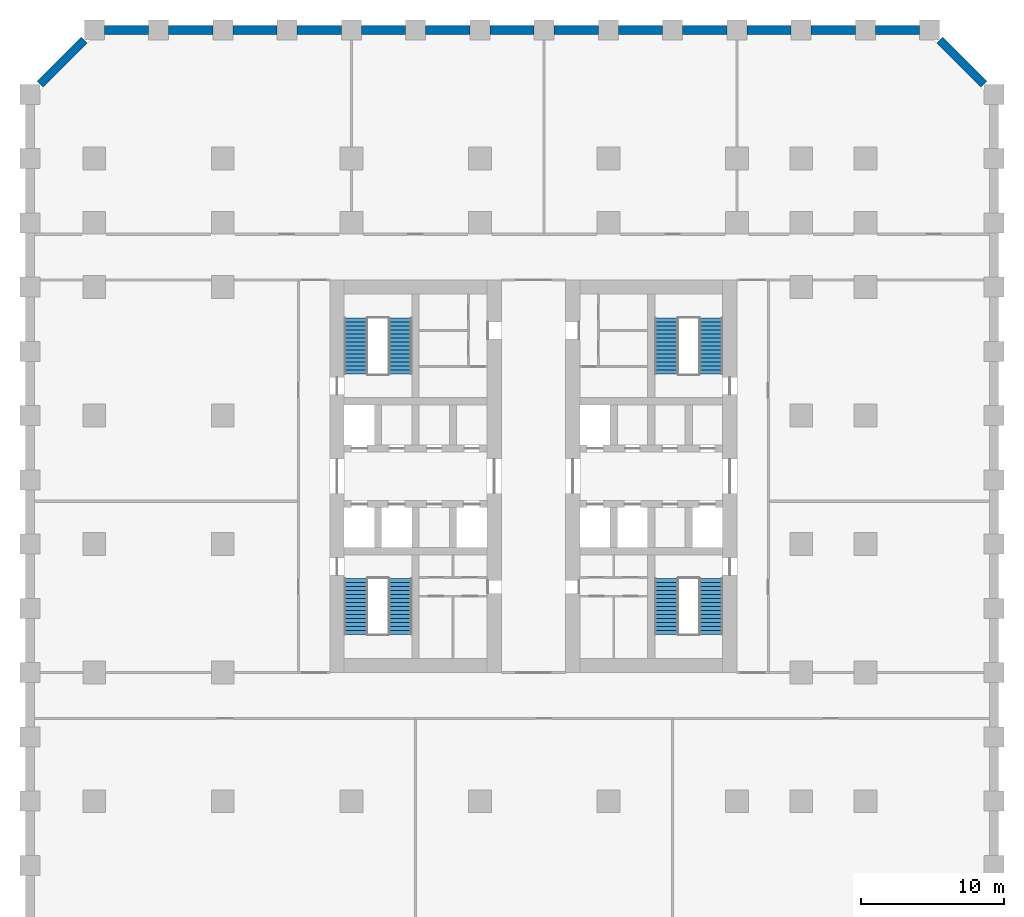
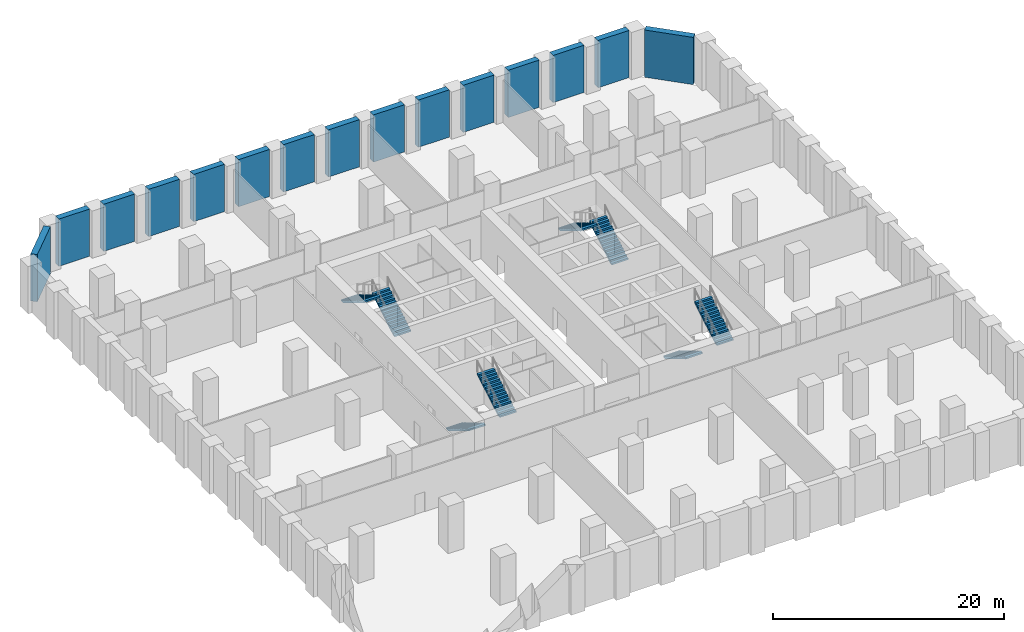
# One storey, part 6 of 7: 15 walls, 8 stair flights, 4 elements without a shape of their own.
"""IFC4 building model written with IfcOpenShell, lengths in metres."""

from ifc_helpers import new_model, si_unit, direction, frame, frame_2d, origin, place, context, subcontext, project, spatial, polyline, rectangle, outline, extrude, material, layer, layer_set, type_object, element, aggregate, save


model = new_model("IFC4")

# Units and contexts
model_context = context("Model", 3, precision=1e-05, world=origin(), true_north=direction((0.0, 1.0)))
body_context = subcontext(model_context, "Body", "Model", "MODEL_VIEW")
ifc_project = project(units=[si_unit("LENGTHUNIT", "METRE"), si_unit("AREAUNIT", "SQUARE_METRE"), si_unit("VOLUMEUNIT", "CUBIC_METRE"), si_unit("PLANEANGLEUNIT", "RADIAN"), si_unit("MASSUNIT", "GRAM", prefix="KILO")], contexts=[model_context])

# Site, building, storey
site_placement = place(None, origin())
site = spatial("IfcSite", under=ifc_project, at=site_placement, CompositionType="ELEMENT")
building_placement = place(site_placement, origin())
building = spatial("IfcBuilding", under=site, at=building_placement, Name="Corbel Stack Research Tower", CompositionType="ELEMENT")
storey_placement = place(building_placement, frame((0.0, 0.0, -5.0)))
storey = spatial("IfcBuildingStorey", under=building, at=storey_placement, Name="B1", CompositionType="ELEMENT", Elevation=-5.0)

# Walls
ifc_material_1 = material(Name="Concrete C45/55", Category="concrete")
ifc_layer = layer(ifc_material_1, 0.60009765625)
ifc_layer_set = layer_set([ifc_layer], Name="Concrete C45/55")
wall_type = type_object("IfcWallType", Name="BW-600", PredefinedType="SOLIDWALL", material=ifc_layer_set)
wall_1_placement = place(storey_placement, frame((35.300048828125, 32.199951171875, 0.0), z_axis=(0.0, 0.0, 1.0), x_axis=(-0.707106781187, 0.707106781187, 0.0)))
element("IfcWall", 1, at=wall_1_placement, inside=storey, type_object=wall_type, Name="Basement wall B1", PredefinedType="SOLIDWALL", context=body_context, shape_type="SweptSolid", body=[
    extrude(rectangle(XDim=4.38427734375, YDim=0.60009765625, at=frame_2d((2.192138671875, 0.0))), origin(), (0.0, 0.0, 1.0), 5.0),
])
for number, where, z_axis, x_axis, name in (
    (2, (30.800048828125, 36.0, 0.0), (0.0, 0.0, 1.0), (-1.0, 0.0, 0.0), "Basement wall B1"),
    (3, (26.300048828125, 36.0, 0.0), (0.0, 0.0, 1.0), (-1.0, 0.0, 0.0), "Basement wall B1"),
    (4, (21.800048828125, 36.0, 0.0), (0.0, 0.0, 1.0), (-1.0, 0.0, 0.0), "Basement wall B1"),
    (5, (17.300048828125, 36.0, 0.0), (0.0, 0.0, 1.0), (-1.0, 0.0, 0.0), "Basement wall B1"),
    (6, (12.800048828125, 36.0, 0.0), (0.0, 0.0, 1.0), (-1.0, 0.0, 0.0), "Basement wall B1"),
    (7, (8.300048828125, 36.0, 0.0), (0.0, 0.0, 1.0), (-1.0, 0.0, 0.0), "Basement wall B1"),
    (8, (3.800048828125, 36.0, 0.0), (0.0, 0.0, 1.0), (-1.0, 0.0, 0.0), "Basement wall B1"),
    (9, (-0.699951171875, 36.0, 0.0), (0.0, 0.0, 1.0), (-1.0, 0.0, 0.0), "Basement wall B1"),
    (10, (-5.199951171875, 36.0, 0.0), (0.0, 0.0, 1.0), (-1.0, 0.0, 0.0), "Basement wall B1"),
    (11, (-9.699951171875, 36.0, 0.0), (0.0, 0.0, 1.0), (-1.0, 0.0, 0.0), "Basement wall B1"),
    (12, (-14.199951171875, 36.0, 0.0), (0.0, 0.0, 1.0), (-1.0, 0.0, 0.0), "Basement wall B1"),
    (13, (-18.699951171875, 36.0, 0.0), (0.0, 0.0, 1.0), (-1.0, 0.0, 0.0), "Basement wall B1"),
    (14, (-23.199951171875, 36.0, 0.0), (0.0, 0.0, 1.0), (-1.0, 0.0, 0.0), "Basement wall B1"),
):
    element("IfcWall", number, at=place(storey_placement, frame(where, z_axis=z_axis, x_axis=x_axis)), inside=storey, type_object=wall_type, Name=name, PredefinedType="SOLIDWALL", context=body_context, shape_type="SweptSolid", body=[
        extrude(rectangle(XDim=3.10009765625, YDim=0.60009765625, at=frame_2d((1.550048828125, 0.0))), origin(), (0.0, 0.0, 1.0), 5.0),
    ])
wall_2_placement = place(storey_placement, frame((-27.699951171875, 35.300048828125, 0.0), z_axis=(0.0, 0.0, 1.0), x_axis=(-0.707106781187, -0.707106781187, 0.0)))
element("IfcWall", 15, at=wall_2_placement, inside=storey, type_object=wall_type, Name="Basement wall B1", PredefinedType="SOLIDWALL", context=body_context, shape_type="SweptSolid", body=[
    extrude(rectangle(XDim=4.38427734375, YDim=0.60009765625, at=frame_2d((2.192138671875, 0.0))), origin(), (0.0, 0.0, 1.0), 5.0),
])

# Stair, stair flights
ifc_material_2 = material(Name="Concrete C40/50", Category="concrete")
stair_type = type_object("IfcStairType", Name="Exit stair 30 risers", PredefinedType="HALF_TURN_STAIR", material=ifc_material_2)
stair_1_placement = place(storey_placement, origin())
stair_1 = element("IfcStair", 16, at=stair_1_placement, inside=storey, type_object=stair_type, Name="B1 Exit stair ST-W1", PredefinedType="HALF_TURN_STAIR")
ifc_material_3 = material(Name="Concrete C40/50", Category="concrete")
stair_flight_type = type_object("IfcStairFlightType", Name="Stair flight 15 risers", PredefinedType="STRAIGHT", material=ifc_material_3)
stair_flight_1_placement = place(storey_placement, frame((-8.675048828125, -2.39990234375, 0.0), z_axis=(0.0, 0.0, 1.0), x_axis=(0.0, -1.0, 0.0)))
stair_flight_1 = element("IfcStairFlight", 17, at=stair_flight_1_placement, type_object=stair_flight_type, Name="ST-W1 flight 1", NumberOfRisers=15, NumberOfTreads=14, PredefinedType="STRAIGHT", RiserHeight=0.166666667, TreadLength=0.28, context=body_context, shape_type="SweptSolid", body=[
    extrude(outline(polyline([(0.0, 0.0), (0.0, 0.166748046875), (0.280029296875, 0.166748046875), (0.280029296875, 0.333251953125), (0.56005859375, 0.333251953125), (0.56005859375, 0.5), (0.840087890625, 0.5), (0.840087890625, 0.666748046875), (1.1201171875, 0.666748046875), (1.1201171875, 0.833251953125), (1.39990234375, 0.833251953125), (1.39990234375, 1.0), (1.679931640625, 1.0), (1.679931640625, 1.166748046875), (1.9599609375, 1.166748046875), (1.9599609375, 1.333251953125), (2.239990234375, 1.333251953125), (2.239990234375, 1.5), (2.52001953125, 1.5), (2.52001953125, 1.666748046875), (2.800048828125, 1.666748046875), (2.800048828125, 1.833251953125), (3.080078125, 1.833251953125), (3.080078125, 2.0), (3.360107421875, 2.0), (3.360107421875, 2.166748046875), (3.639892578125, 2.166748046875), (3.639892578125, 2.333251953125), (3.919921875, 2.333251953125), (3.919921875, 2.5), (3.919921875, 2.158935546875), (0.29296875, 0.0), (0.0, 0.0)])), frame((0.0, 0.824951171875, 0.0), z_axis=(0.0, -1.0, 0.0), x_axis=(1.0, 0.0, 0.0)), (0.0, 0.0, 1.0), 1.64990234375),
])
stair_flight_2_placement = place(storey_placement, frame((-5.574951171875, -6.320068359375, 2.5), z_axis=(0.0, 0.0, 1.0), x_axis=(0.0, 1.0, 0.0)))
stair_flight_2 = element("IfcStairFlight", 18, at=stair_flight_2_placement, type_object=stair_flight_type, Name="ST-W1 flight 2", NumberOfRisers=15, NumberOfTreads=14, PredefinedType="STRAIGHT", RiserHeight=0.166666667, TreadLength=0.28, context=body_context, shape_type="SweptSolid", body=[
    extrude(outline(polyline([(0.0, 0.0), (0.0, 0.166748046875), (0.280029296875, 0.166748046875), (0.280029296875, 0.333251953125), (0.56005859375, 0.333251953125), (0.56005859375, 0.5), (0.840087890625, 0.5), (0.840087890625, 0.666748046875), (1.1201171875, 0.666748046875), (1.1201171875, 0.833251953125), (1.39990234375, 0.833251953125), (1.39990234375, 1.0), (1.679931640625, 1.0), (1.679931640625, 1.166748046875), (1.9599609375, 1.166748046875), (1.9599609375, 1.333251953125), (2.239990234375, 1.333251953125), (2.239990234375, 1.5), (2.52001953125, 1.5), (2.52001953125, 1.666748046875), (2.800048828125, 1.666748046875), (2.800048828125, 1.833251953125), (3.080078125, 1.833251953125), (3.080078125, 2.0), (3.360107421875, 2.0), (3.360107421875, 2.166748046875), (3.639892578125, 2.166748046875), (3.639892578125, 2.333251953125), (3.919921875, 2.333251953125), (3.919921875, 2.5), (3.919921875, 2.158935546875), (0.29296875, 0.0), (0.0, 0.0)])), frame((0.0, 0.824951171875, 0.0), z_axis=(0.0, -1.0, 0.0), x_axis=(1.0, 0.0, 0.0)), (0.0, 0.0, 1.0), 1.64990234375),
])
aggregate(stair_1, [stair_flight_1, stair_flight_2])

stair_2_placement = place(storey_placement, origin())
stair_2 = element("IfcStair", 19, at=stair_2_placement, inside=storey, type_object=stair_type, Name="B1 Exit stair ST-W2", PredefinedType="HALF_TURN_STAIR")
stair_flight_3_placement = place(storey_placement, frame((-5.574951171875, 11.89990234375, 0.0), z_axis=(0.0, 0.0, 1.0), x_axis=(0.0, 1.0, 0.0)))
stair_flight_3 = element("IfcStairFlight", 20, at=stair_flight_3_placement, type_object=stair_flight_type, Name="ST-W2 flight 1", NumberOfRisers=15, NumberOfTreads=14, PredefinedType="STRAIGHT", RiserHeight=0.166666667, TreadLength=0.28, context=body_context, shape_type="SweptSolid", body=[
    extrude(outline(polyline([(0.0, 0.0), (0.0, 0.166748046875), (0.280029296875, 0.166748046875), (0.280029296875, 0.333251953125), (0.56005859375, 0.333251953125), (0.56005859375, 0.5), (0.840087890625, 0.5), (0.840087890625, 0.666748046875), (1.1201171875, 0.666748046875), (1.1201171875, 0.833251953125), (1.39990234375, 0.833251953125), (1.39990234375, 1.0), (1.679931640625, 1.0), (1.679931640625, 1.166748046875), (1.9599609375, 1.166748046875), (1.9599609375, 1.333251953125), (2.239990234375, 1.333251953125), (2.239990234375, 1.5), (2.52001953125, 1.5), (2.52001953125, 1.666748046875), (2.800048828125, 1.666748046875), (2.800048828125, 1.833251953125), (3.080078125, 1.833251953125), (3.080078125, 2.0), (3.360107421875, 2.0), (3.360107421875, 2.166748046875), (3.639892578125, 2.166748046875), (3.639892578125, 2.333251953125), (3.919921875, 2.333251953125), (3.919921875, 2.5), (3.919921875, 2.158935546875), (0.29296875, 0.0), (0.0, 0.0)])), frame((0.0, 0.824951171875, 0.0), z_axis=(0.0, -1.0, 0.0), x_axis=(1.0, 0.0, 0.0)), (0.0, 0.0, 1.0), 1.64990234375),
])
stair_flight_4_placement = place(storey_placement, frame((-8.675048828125, 15.820068359375, 2.5), z_axis=(0.0, 0.0, 1.0), x_axis=(0.0, -1.0, 0.0)))
stair_flight_4 = element("IfcStairFlight", 21, at=stair_flight_4_placement, type_object=stair_flight_type, Name="ST-W2 flight 2", NumberOfRisers=15, NumberOfTreads=14, PredefinedType="STRAIGHT", RiserHeight=0.166666667, TreadLength=0.28, context=body_context, shape_type="SweptSolid", body=[
    extrude(outline(polyline([(0.0, 0.0), (0.0, 0.166748046875), (0.280029296875, 0.166748046875), (0.280029296875, 0.333251953125), (0.56005859375, 0.333251953125), (0.56005859375, 0.5), (0.840087890625, 0.5), (0.840087890625, 0.666748046875), (1.1201171875, 0.666748046875), (1.1201171875, 0.833251953125), (1.39990234375, 0.833251953125), (1.39990234375, 1.0), (1.679931640625, 1.0), (1.679931640625, 1.166748046875), (1.9599609375, 1.166748046875), (1.9599609375, 1.333251953125), (2.239990234375, 1.333251953125), (2.239990234375, 1.5), (2.52001953125, 1.5), (2.52001953125, 1.666748046875), (2.800048828125, 1.666748046875), (2.800048828125, 1.833251953125), (3.080078125, 1.833251953125), (3.080078125, 2.0), (3.360107421875, 2.0), (3.360107421875, 2.166748046875), (3.639892578125, 2.166748046875), (3.639892578125, 2.333251953125), (3.919921875, 2.333251953125), (3.919921875, 2.5), (3.919921875, 2.158935546875), (0.29296875, 0.0), (0.0, 0.0)])), frame((0.0, 0.824951171875, 0.0), z_axis=(0.0, -1.0, 0.0), x_axis=(1.0, 0.0, 0.0)), (0.0, 0.0, 1.0), 1.64990234375),
])
aggregate(stair_2, [stair_flight_3, stair_flight_4])

stair_3_placement = place(storey_placement, origin())
stair_3 = element("IfcStair", 22, at=stair_3_placement, inside=storey, type_object=stair_type, Name="B1 Exit stair ST-E1", PredefinedType="HALF_TURN_STAIR")
stair_flight_5_placement = place(storey_placement, frame((13.074951171875, -2.39990234375, 0.0), z_axis=(0.0, 0.0, 1.0), x_axis=(0.0, -1.0, 0.0)))
stair_flight_5 = element("IfcStairFlight", 23, at=stair_flight_5_placement, type_object=stair_flight_type, Name="ST-E1 flight 1", NumberOfRisers=15, NumberOfTreads=14, PredefinedType="STRAIGHT", RiserHeight=0.166666667, TreadLength=0.28, context=body_context, shape_type="SweptSolid", body=[
    extrude(outline(polyline([(0.0, 0.0), (0.0, 0.166748046875), (0.280029296875, 0.166748046875), (0.280029296875, 0.333251953125), (0.56005859375, 0.333251953125), (0.56005859375, 0.5), (0.840087890625, 0.5), (0.840087890625, 0.666748046875), (1.1201171875, 0.666748046875), (1.1201171875, 0.833251953125), (1.39990234375, 0.833251953125), (1.39990234375, 1.0), (1.679931640625, 1.0), (1.679931640625, 1.166748046875), (1.9599609375, 1.166748046875), (1.9599609375, 1.333251953125), (2.239990234375, 1.333251953125), (2.239990234375, 1.5), (2.52001953125, 1.5), (2.52001953125, 1.666748046875), (2.800048828125, 1.666748046875), (2.800048828125, 1.833251953125), (3.080078125, 1.833251953125), (3.080078125, 2.0), (3.360107421875, 2.0), (3.360107421875, 2.166748046875), (3.639892578125, 2.166748046875), (3.639892578125, 2.333251953125), (3.919921875, 2.333251953125), (3.919921875, 2.5), (3.919921875, 2.158935546875), (0.29296875, 0.0), (0.0, 0.0)])), frame((0.0, 0.824951171875, 0.0), z_axis=(0.0, -1.0, 0.0), x_axis=(1.0, 0.0, 0.0)), (0.0, 0.0, 1.0), 1.64990234375),
])
stair_flight_6_placement = place(storey_placement, frame((16.175048828125, -6.320068359375, 2.5), z_axis=(0.0, 0.0, 1.0), x_axis=(0.0, 1.0, 0.0)))
stair_flight_6 = element("IfcStairFlight", 24, at=stair_flight_6_placement, type_object=stair_flight_type, Name="ST-E1 flight 2", NumberOfRisers=15, NumberOfTreads=14, PredefinedType="STRAIGHT", RiserHeight=0.166666667, TreadLength=0.28, context=body_context, shape_type="SweptSolid", body=[
    extrude(outline(polyline([(0.0, 0.0), (0.0, 0.166748046875), (0.280029296875, 0.166748046875), (0.280029296875, 0.333251953125), (0.56005859375, 0.333251953125), (0.56005859375, 0.5), (0.840087890625, 0.5), (0.840087890625, 0.666748046875), (1.1201171875, 0.666748046875), (1.1201171875, 0.833251953125), (1.39990234375, 0.833251953125), (1.39990234375, 1.0), (1.679931640625, 1.0), (1.679931640625, 1.166748046875), (1.9599609375, 1.166748046875), (1.9599609375, 1.333251953125), (2.239990234375, 1.333251953125), (2.239990234375, 1.5), (2.52001953125, 1.5), (2.52001953125, 1.666748046875), (2.800048828125, 1.666748046875), (2.800048828125, 1.833251953125), (3.080078125, 1.833251953125), (3.080078125, 2.0), (3.360107421875, 2.0), (3.360107421875, 2.166748046875), (3.639892578125, 2.166748046875), (3.639892578125, 2.333251953125), (3.919921875, 2.333251953125), (3.919921875, 2.5), (3.919921875, 2.158935546875), (0.29296875, 0.0), (0.0, 0.0)])), frame((0.0, 0.824951171875, 0.0), z_axis=(0.0, -1.0, 0.0), x_axis=(1.0, 0.0, 0.0)), (0.0, 0.0, 1.0), 1.64990234375),
])
aggregate(stair_3, [stair_flight_5, stair_flight_6])

stair_4_placement = place(storey_placement, origin())
stair_4 = element("IfcStair", 25, at=stair_4_placement, inside=storey, type_object=stair_type, Name="B1 Exit stair ST-E2", PredefinedType="HALF_TURN_STAIR")
stair_flight_7_placement = place(storey_placement, frame((16.175048828125, 11.89990234375, 0.0), z_axis=(0.0, 0.0, 1.0), x_axis=(0.0, 1.0, 0.0)))
stair_flight_7 = element("IfcStairFlight", 26, at=stair_flight_7_placement, type_object=stair_flight_type, Name="ST-E2 flight 1", NumberOfRisers=15, NumberOfTreads=14, PredefinedType="STRAIGHT", RiserHeight=0.166666667, TreadLength=0.28, context=body_context, shape_type="SweptSolid", body=[
    extrude(outline(polyline([(0.0, 0.0), (0.0, 0.166748046875), (0.280029296875, 0.166748046875), (0.280029296875, 0.333251953125), (0.56005859375, 0.333251953125), (0.56005859375, 0.5), (0.840087890625, 0.5), (0.840087890625, 0.666748046875), (1.1201171875, 0.666748046875), (1.1201171875, 0.833251953125), (1.39990234375, 0.833251953125), (1.39990234375, 1.0), (1.679931640625, 1.0), (1.679931640625, 1.166748046875), (1.9599609375, 1.166748046875), (1.9599609375, 1.333251953125), (2.239990234375, 1.333251953125), (2.239990234375, 1.5), (2.52001953125, 1.5), (2.52001953125, 1.666748046875), (2.800048828125, 1.666748046875), (2.800048828125, 1.833251953125), (3.080078125, 1.833251953125), (3.080078125, 2.0), (3.360107421875, 2.0), (3.360107421875, 2.166748046875), (3.639892578125, 2.166748046875), (3.639892578125, 2.333251953125), (3.919921875, 2.333251953125), (3.919921875, 2.5), (3.919921875, 2.158935546875), (0.29296875, 0.0), (0.0, 0.0)])), frame((0.0, 0.824951171875, 0.0), z_axis=(0.0, -1.0, 0.0), x_axis=(1.0, 0.0, 0.0)), (0.0, 0.0, 1.0), 1.64990234375),
])
stair_flight_8_placement = place(storey_placement, frame((13.074951171875, 15.820068359375, 2.5), z_axis=(0.0, 0.0, 1.0), x_axis=(0.0, -1.0, 0.0)))
stair_flight_8 = element("IfcStairFlight", 27, at=stair_flight_8_placement, type_object=stair_flight_type, Name="ST-E2 flight 2", NumberOfRisers=15, NumberOfTreads=14, PredefinedType="STRAIGHT", RiserHeight=0.166666667, TreadLength=0.28, context=body_context, shape_type="SweptSolid", body=[
    extrude(outline(polyline([(0.0, 0.0), (0.0, 0.166748046875), (0.280029296875, 0.166748046875), (0.280029296875, 0.333251953125), (0.56005859375, 0.333251953125), (0.56005859375, 0.5), (0.840087890625, 0.5), (0.840087890625, 0.666748046875), (1.1201171875, 0.666748046875), (1.1201171875, 0.833251953125), (1.39990234375, 0.833251953125), (1.39990234375, 1.0), (1.679931640625, 1.0), (1.679931640625, 1.166748046875), (1.9599609375, 1.166748046875), (1.9599609375, 1.333251953125), (2.239990234375, 1.333251953125), (2.239990234375, 1.5), (2.52001953125, 1.5), (2.52001953125, 1.666748046875), (2.800048828125, 1.666748046875), (2.800048828125, 1.833251953125), (3.080078125, 1.833251953125), (3.080078125, 2.0), (3.360107421875, 2.0), (3.360107421875, 2.166748046875), (3.639892578125, 2.166748046875), (3.639892578125, 2.333251953125), (3.919921875, 2.333251953125), (3.919921875, 2.5), (3.919921875, 2.158935546875), (0.29296875, 0.0), (0.0, 0.0)])), frame((0.0, 0.824951171875, 0.0), z_axis=(0.0, -1.0, 0.0), x_axis=(1.0, 0.0, 0.0)), (0.0, 0.0, 1.0), 1.64990234375),
])
aggregate(stair_4, [stair_flight_7, stair_flight_8])

save(model, "model.ifc")
